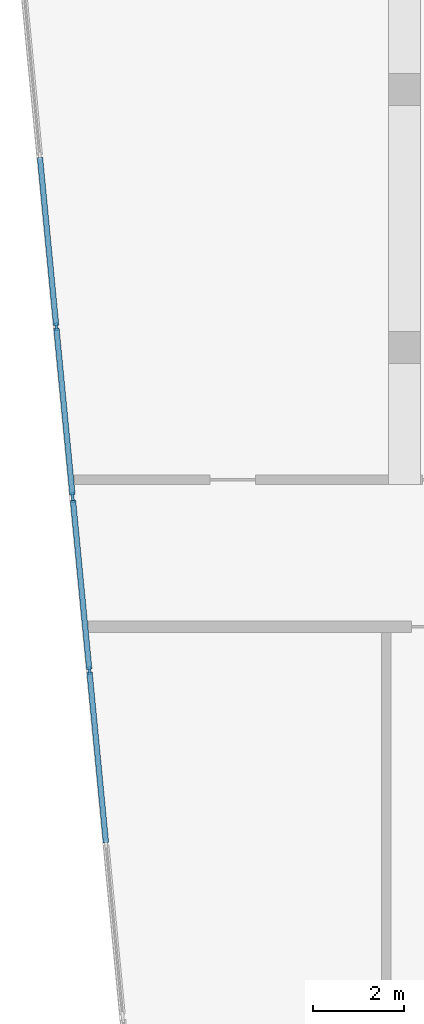
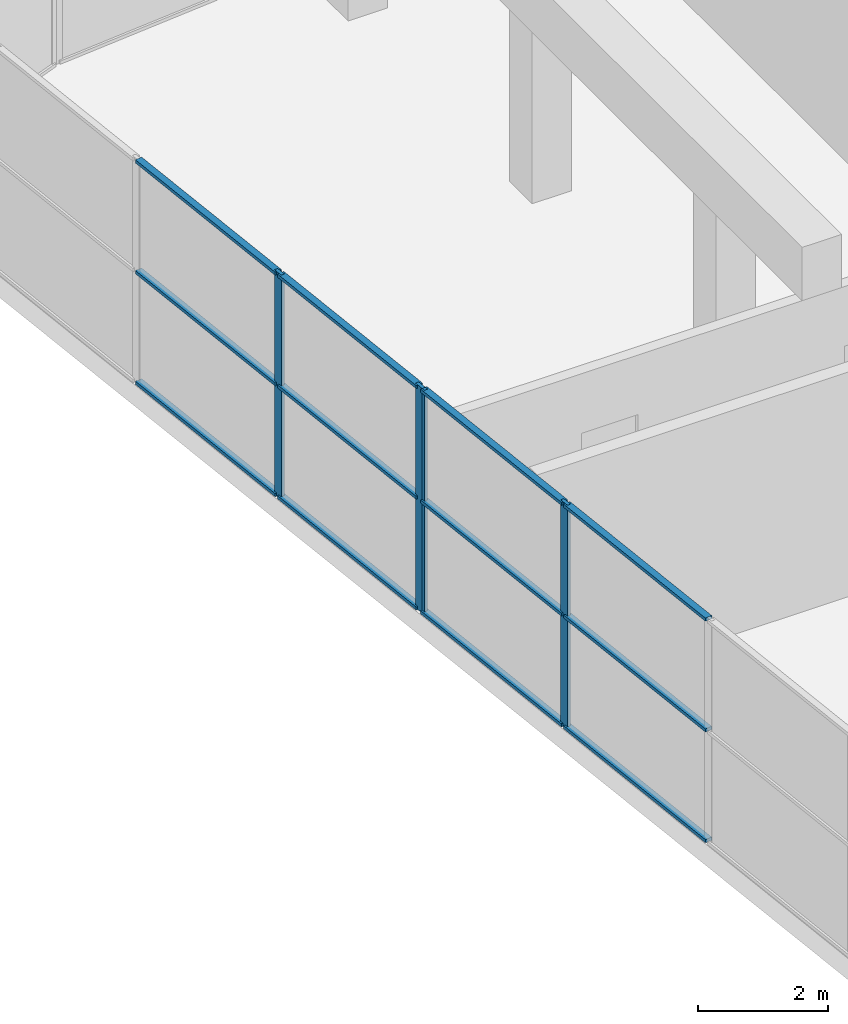
# One storey, part 3 of 21: 16 members, 2 elements without a shape of their own.
"""IFC4 building model written with IfcOpenShell, lengths in metres."""

from ifc_helpers import new_model, si_unit, direction, frame, origin, origin_2d, place, context, subcontext, project, spatial, rectangle, extrude, material, material_profile, profile_set, type_object, element, aggregate, save


model = new_model("IFC4")

# Units and contexts
model_context = context("Model", 3, precision=1e-05, world=origin(), true_north=direction((0.0, 1.0)))
body_context = subcontext(model_context, "Body", "Model", "MODEL_VIEW")
ifc_project = project(units=[si_unit("LENGTHUNIT", "METRE"), si_unit("AREAUNIT", "SQUARE_METRE"), si_unit("VOLUMEUNIT", "CUBIC_METRE"), si_unit("PLANEANGLEUNIT", "RADIAN"), si_unit("MASSUNIT", "GRAM", prefix="KILO")], contexts=[model_context])

# Site, building, storey
site_placement = place(None, origin())
site = spatial("IfcSite", under=ifc_project, at=site_placement, CompositionType="ELEMENT")
building_placement = place(site_placement, origin())
building = spatial("IfcBuilding", under=site, at=building_placement, Name="Kajstack Hotel Tower", CompositionType="ELEMENT")
storey_placement = place(building_placement, frame((0.0, 0.0, 162.39990234375)))
storey = spatial("IfcBuildingStorey", under=building, at=storey_placement, Name="L37", CompositionType="ELEMENT", Elevation=162.39990234375)

# Curtain wall, members
ifc_material_1 = material(Name="Aluminium-framed curtain wall, insulated glass with fritted edge", Category="aluminium")
curtain_wall_type = type_object("IfcCurtainWallType", Name="CW-SPA", PredefinedType="NOTDEFINED", material=ifc_material_1)
curtain_wall_1_placement = place(storey_placement, origin())
curtain_wall_1 = element("IfcCurtainWall", 1, at=curtain_wall_1_placement, inside=storey, type_object=curtain_wall_type, Name="Curtain wall CU7 L37-00-00-0", PredefinedType="NOTDEFINED")
ifc_material_2 = material(Name="Aluminium", Category="aluminium")
ifc_material_profile_1 = material_profile(ifc_material_2, rectangle(XDim=0.06005859375, YDim=0.179931640625, at=origin_2d()), Name="Aluminium mullion 60 x 180")
ifc_profile_set_1 = profile_set([ifc_material_profile_1], Name="Aluminium")
member_type_1 = type_object("IfcMemberType", Name="CW-M-SPA", PredefinedType="MULLION", material=ifc_profile_set_1)
member_1_placement = place(storey_placement, frame((-43.641845703125, 4.955322265625, 0.0), z_axis=(0.0, 0.0, 1.0), x_axis=(0.995396334107, 0.095844342793, 0.0)))
member_1 = element("IfcMember", 2, at=member_1_placement, type_object=member_type_1, Name="CU7 mullion 3", PredefinedType="MULLION", context=body_context, shape_type="SweptSolid", body=[
    extrude(rectangle(XDim=0.06005859375, YDim=0.179931640625, at=origin_2d()), origin(), (0.0, 0.0, 1.0), 4.22021484375),
])
member_2_placement = place(storey_placement, frame((-43.283935546875, 1.237060546875, 0.0), z_axis=(0.0, 0.0, 1.0), x_axis=(0.995396334107, 0.095844342793, 0.0)))
member_2 = element("IfcMember", 3, at=member_2_placement, type_object=member_type_1, Name="CU7 mullion 4", PredefinedType="MULLION", context=body_context, shape_type="SweptSolid", body=[
    extrude(rectangle(XDim=0.06005859375, YDim=0.179931640625, at=origin_2d()), origin(), (0.0, 0.0, 1.0), 4.22021484375),
])

curtain_wall_2_placement = place(storey_placement, origin())
curtain_wall_2 = element("IfcCurtainWall", 4, at=curtain_wall_2_placement, inside=storey, type_object=curtain_wall_type, Name="Curtain wall CU7 L37-00-00-1", PredefinedType="NOTDEFINED")
member_3_placement = place(storey_placement, frame((-43.278076171875, 1.17724609375, 0.0), z_axis=(0.0, 0.0, 1.0), x_axis=(0.995396336722, 0.095844315639, 0.0)))
member_3 = element("IfcMember", 5, at=member_3_placement, type_object=member_type_1, Name="CU7 mullion 1", PredefinedType="MULLION", context=body_context, shape_type="SweptSolid", body=[
    extrude(rectangle(XDim=0.06005859375, YDim=0.179931640625, at=origin_2d()), origin(), (0.0, 0.0, 1.0), 4.22021484375),
])
member_4_placement = place(storey_placement, frame((-42.9150390625, -2.5927734375, 0.0), z_axis=(0.0, 0.0, 1.0), x_axis=(0.995396336722, 0.095844315639, 0.0)))
member_4 = element("IfcMember", 6, at=member_4_placement, type_object=member_type_1, Name="CU7 mullion 2", PredefinedType="MULLION", context=body_context, shape_type="SweptSolid", body=[
    extrude(rectangle(XDim=0.06005859375, YDim=0.179931640625, at=origin_2d()), origin(), (0.0, 0.0, 1.0), 4.22021484375),
])

# Member
ifc_material_profile_2 = material_profile(ifc_material_2, rectangle(XDim=0.1201171875, YDim=0.06005859375, at=origin_2d()), Name="Aluminium transom 120 x 60")
ifc_profile_set_2 = profile_set([ifc_material_profile_2], Name="Aluminium")
member_type_2 = type_object("IfcMemberType", Name="CW-T-SPA", PredefinedType="USERDEFINED", material=ifc_profile_set_2)
member_5_placement = place(storey_placement, frame((-44.0, 8.67333984375, 0.030029296875), z_axis=(0.0958693429, -0.99539392659, 0.0), x_axis=(0.99539392659, 0.0958693429, 0.0)))
member_5 = element("IfcMember", 7, at=member_5_placement, type_object=member_type_2, Name="CU7 transom 2.1", ObjectType="TRANSOM", PredefinedType="USERDEFINED", context=body_context, shape_type="SweptSolid", body=[
    extrude(rectangle(XDim=0.1201171875, YDim=0.06005859375, at=origin_2d()), origin(), (0.0, 0.0, 1.0), 3.705322265625),
])

member_6_placement = place(storey_placement, frame((-44.0, 8.67333984375, 2.110107421875), z_axis=(0.0958693429, -0.99539392659, 0.0), x_axis=(0.99539392659, 0.0958693429, 0.0)))
member_6 = element("IfcMember", 8, at=member_6_placement, type_object=member_type_2, Name="CU7 transom 2.2", ObjectType="TRANSOM", PredefinedType="USERDEFINED", context=body_context, shape_type="SweptSolid", body=[
    extrude(rectangle(XDim=0.1201171875, YDim=0.06005859375, at=origin_2d()), origin(), (0.0, 0.0, 1.0), 3.705322265625),
])

member_7_placement = place(storey_placement, frame((-44.0, 8.67333984375, 4.190185546875), z_axis=(0.0958693429, -0.99539392659, 0.0), x_axis=(0.99539392659, 0.0958693429, 0.0)))
member_7 = element("IfcMember", 9, at=member_7_placement, type_object=member_type_2, Name="CU7 transom 2.3", ObjectType="TRANSOM", PredefinedType="USERDEFINED", context=body_context, shape_type="SweptSolid", body=[
    extrude(rectangle(XDim=0.1201171875, YDim=0.06005859375, at=origin_2d()), origin(), (0.0, 0.0, 1.0), 3.705322265625),
])

member_8_placement = place(storey_placement, frame((-43.638916015625, 4.92529296875, 0.030029296875), z_axis=(0.095852900965, -0.995395510024, 0.0), x_axis=(0.995395510024, 0.095852900965, 0.0)))
member_8 = element("IfcMember", 10, at=member_8_placement, type_object=member_type_2, Name="CU7 transom 3.1", ObjectType="TRANSOM", PredefinedType="USERDEFINED", context=body_context, shape_type="SweptSolid", body=[
    extrude(rectangle(XDim=0.1201171875, YDim=0.06005859375, at=origin_2d()), origin(), (0.0, 0.0, 1.0), 3.67529296875),
])

member_9_placement = place(storey_placement, frame((-43.638916015625, 4.92529296875, 2.110107421875), z_axis=(0.095852900965, -0.995395510024, 0.0), x_axis=(0.995395510024, 0.095852900965, 0.0)))
member_9 = element("IfcMember", 11, at=member_9_placement, type_object=member_type_2, Name="CU7 transom 3.2", ObjectType="TRANSOM", PredefinedType="USERDEFINED", context=body_context, shape_type="SweptSolid", body=[
    extrude(rectangle(XDim=0.1201171875, YDim=0.06005859375, at=origin_2d()), origin(), (0.0, 0.0, 1.0), 3.67529296875),
])

member_10_placement = place(storey_placement, frame((-43.638916015625, 4.92529296875, 4.190185546875), z_axis=(0.095852900965, -0.995395510024, 0.0), x_axis=(0.995395510024, 0.095852900965, 0.0)))
member_10 = element("IfcMember", 12, at=member_10_placement, type_object=member_type_2, Name="CU7 transom 3.3", ObjectType="TRANSOM", PredefinedType="USERDEFINED", context=body_context, shape_type="SweptSolid", body=[
    extrude(rectangle(XDim=0.1201171875, YDim=0.06005859375, at=origin_2d()), origin(), (0.0, 0.0, 1.0), 3.67529296875),
])

aggregate(curtain_wall_1, [member_1, member_2, member_5, member_6, member_7, member_8, member_9, member_10])

member_11_placement = place(storey_placement, frame((-43.275146484375, 1.1474609375, 0.030029296875), z_axis=(0.095819733063, -0.995398703413, 0.0), x_axis=(0.995398703413, 0.095819733063, 0.0)))
member_11 = element("IfcMember", 13, at=member_11_placement, type_object=member_type_2, Name="CU7 transom 1.1", ObjectType="TRANSOM", PredefinedType="USERDEFINED", context=body_context, shape_type="SweptSolid", body=[
    extrude(rectangle(XDim=0.1201171875, YDim=0.06005859375, at=origin_2d()), origin(), (0.0, 0.0, 1.0), 3.7275390625),
])

member_12_placement = place(storey_placement, frame((-43.275146484375, 1.1474609375, 2.110107421875), z_axis=(0.095819733063, -0.995398703413, 0.0), x_axis=(0.995398703413, 0.095819733063, 0.0)))
member_12 = element("IfcMember", 14, at=member_12_placement, type_object=member_type_2, Name="CU7 transom 1.2", ObjectType="TRANSOM", PredefinedType="USERDEFINED", context=body_context, shape_type="SweptSolid", body=[
    extrude(rectangle(XDim=0.1201171875, YDim=0.06005859375, at=origin_2d()), origin(), (0.0, 0.0, 1.0), 3.7275390625),
])

member_13_placement = place(storey_placement, frame((-43.275146484375, 1.1474609375, 4.190185546875), z_axis=(0.095819733063, -0.995398703413, 0.0), x_axis=(0.995398703413, 0.095819733063, 0.0)))
member_13 = element("IfcMember", 15, at=member_13_placement, type_object=member_type_2, Name="CU7 transom 1.3", ObjectType="TRANSOM", PredefinedType="USERDEFINED", context=body_context, shape_type="SweptSolid", body=[
    extrude(rectangle(XDim=0.1201171875, YDim=0.06005859375, at=origin_2d()), origin(), (0.0, 0.0, 1.0), 3.7275390625),
])

member_14_placement = place(storey_placement, frame((-42.912109375, -2.62255859375, 0.030029296875), z_axis=(0.095830012913, -0.995397713793, 0.0), x_axis=(0.995397713793, 0.095830012913, 0.0)))
member_14 = element("IfcMember", 16, at=member_14_placement, type_object=member_type_2, Name="CU7 transom 2.1", ObjectType="TRANSOM", PredefinedType="USERDEFINED", context=body_context, shape_type="SweptSolid", body=[
    extrude(rectangle(XDim=0.1201171875, YDim=0.06005859375, at=origin_2d()), origin(), (0.0, 0.0, 1.0), 3.7578125),
])

member_15_placement = place(storey_placement, frame((-42.912109375, -2.62255859375, 2.110107421875), z_axis=(0.095830012913, -0.995397713793, 0.0), x_axis=(0.995397713793, 0.095830012913, 0.0)))
member_15 = element("IfcMember", 17, at=member_15_placement, type_object=member_type_2, Name="CU7 transom 2.2", ObjectType="TRANSOM", PredefinedType="USERDEFINED", context=body_context, shape_type="SweptSolid", body=[
    extrude(rectangle(XDim=0.1201171875, YDim=0.06005859375, at=origin_2d()), origin(), (0.0, 0.0, 1.0), 3.7578125),
])

member_16_placement = place(storey_placement, frame((-42.912109375, -2.62255859375, 4.190185546875), z_axis=(0.095830012913, -0.995397713793, 0.0), x_axis=(0.995397713793, 0.095830012913, 0.0)))
member_16 = element("IfcMember", 18, at=member_16_placement, type_object=member_type_2, Name="CU7 transom 2.3", ObjectType="TRANSOM", PredefinedType="USERDEFINED", context=body_context, shape_type="SweptSolid", body=[
    extrude(rectangle(XDim=0.1201171875, YDim=0.06005859375, at=origin_2d()), origin(), (0.0, 0.0, 1.0), 3.7578125),
])

aggregate(curtain_wall_2, [member_3, member_4, member_11, member_12, member_13, member_14, member_15, member_16])

save(model, "model.ifc")
